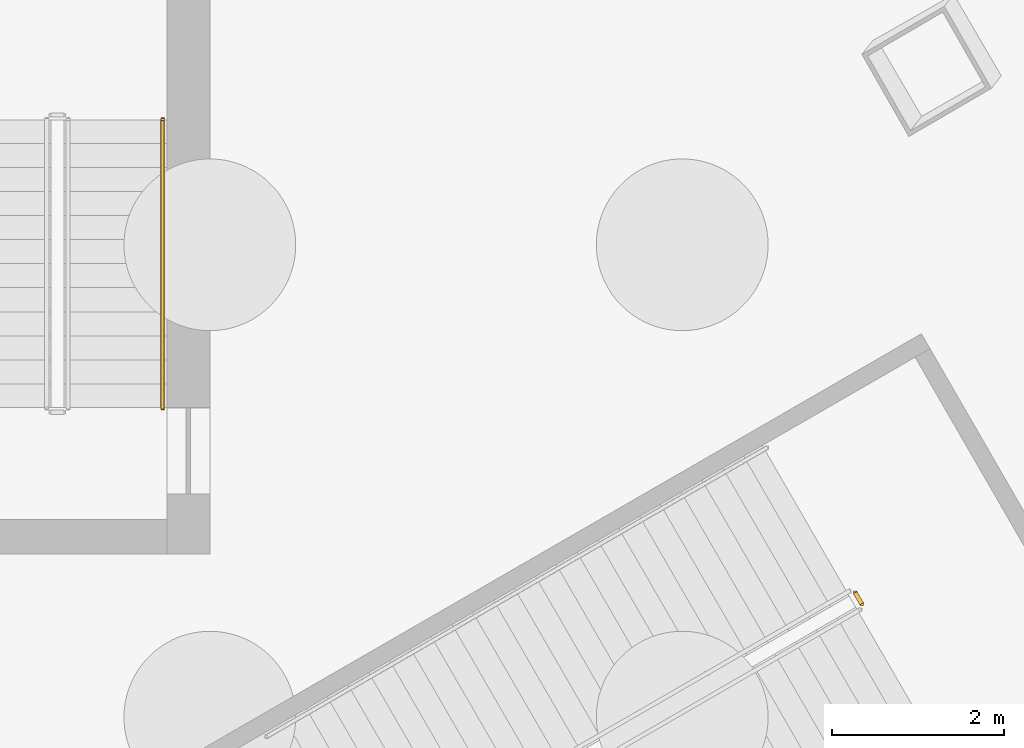
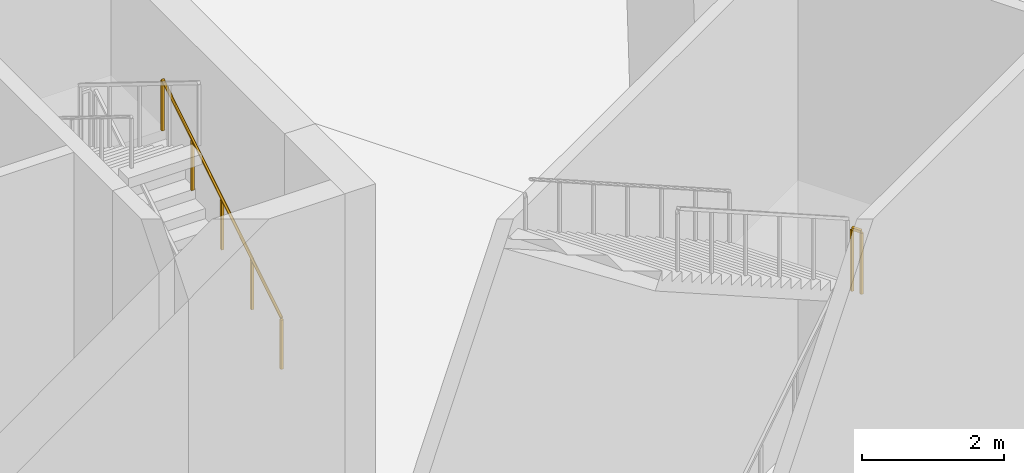
# One storey, part 9 of 10: 2 railings.
"""IFC4 building model written with IfcOpenShell, lengths in metres."""

from ifc_helpers import new_model, si_unit, direction, frame, origin, origin_2d, place, context, subcontext, project, spatial, rectangle, circle, extrude, material, type_object, element, save


model = new_model("IFC4")

# Units and contexts
model_context = context("Model", 3, precision=1e-05, world=origin(), true_north=direction((0.0, 1.0)))
body_context = subcontext(model_context, "Body", "Model", "MODEL_VIEW")
ifc_project = project(units=[si_unit("LENGTHUNIT", "METRE"), si_unit("AREAUNIT", "SQUARE_METRE"), si_unit("VOLUMEUNIT", "CUBIC_METRE"), si_unit("PLANEANGLEUNIT", "RADIAN"), si_unit("MASSUNIT", "GRAM", prefix="KILO")], contexts=[model_context])

# Site, building, storey
site_placement = place(None, origin())
site = spatial("IfcSite", under=ifc_project, at=site_placement, CompositionType="ELEMENT")
building_placement = place(site_placement, origin())
building = spatial("IfcBuilding", under=site, at=building_placement, Name="Apuvela Tower Hotel", CompositionType="ELEMENT")
storey_placement = place(building_placement, origin())
storey = spatial("IfcBuildingStorey", under=building, at=storey_placement, Name="L00", CompositionType="ELEMENT", Elevation=0.0)

# Railings
ifc_material_1 = material(Name="Stainless steel 316 handrail", Category="steel")
railing_type_1 = type_object("IfcRailingType", Name="COR-HANDRAIL-900", PredefinedType="HANDRAIL", material=ifc_material_1)
railing_1_placement = place(storey_placement, frame((4.949951171875, 14.60009765625, 4.673095703125)))
element("IfcRailing", 1, at=railing_1_placement, inside=storey, type_object=railing_type_1, Name="L00 ST1 stair handrail 3", PredefinedType="HANDRAIL", context=body_context, shape_type="SweptSolid", body=[
    extrude(circle(Radius=0.02392578125, at=origin_2d()), frame((0.0, 0.0, 0.8759765625), z_axis=(0.0, 0.850606129759, 0.525803396734), x_axis=(-1.0, 0.0, 0.0)), (0.0, 0.0, 1.0), 3.949951171875),
    extrude(rectangle(XDim=0.0419921875, YDim=0.0419921875, at=origin_2d()), origin(), (0.0, 0.0, 1.0), 0.851806640625),
    extrude(rectangle(XDim=0.0419921875, YDim=0.0419921875, at=origin_2d()), frame((0.0, 0.83984375, 0.519287109375)), (0.0, 0.0, 1.0), 0.851806640625),
    extrude(rectangle(XDim=0.0419921875, YDim=0.0419921875, at=origin_2d()), frame((0.0, 1.679931640625, 1.03857421875)), (0.0, 0.0, 1.0), 0.851806640625),
    extrude(rectangle(XDim=0.0419921875, YDim=0.0419921875, at=origin_2d()), frame((0.0, 2.52001953125, 1.5576171875)), (0.0, 0.0, 1.0), 0.851806640625),
    extrude(rectangle(XDim=0.0419921875, YDim=0.0419921875, at=origin_2d()), frame((0.0, 3.35986328125, 2.076904296875)), (0.0, 0.0, 1.0), 0.851806640625),
])
ifc_material_2 = material(Name="Steel S355 guard with laminated glass infill", Category="steel")
railing_type_2 = type_object("IfcRailingType", Name="SPC-GUARD-1100", PredefinedType="GUARDRAIL", material=ifc_material_2)
railing_2_placement = place(storey_placement, frame((13.088623046875, 12.31982421875, 4.5)))
element("IfcRailing", 2, at=railing_2_placement, inside=storey, type_object=railing_type_2, Name="L00 PS1 stair guard 2", PredefinedType="GUARDRAIL", context=body_context, shape_type="SweptSolid", body=[
    extrude(rectangle(XDim=0.048095703125, YDim=0.048095703125, at=origin_2d()), frame((0.0, 0.0, 1.076171875), z_axis=(-0.499816412211, 0.866131372301, 0.0), x_axis=(-0.866131372301, -0.499816412211, 0.0)), (0.0, 0.0, 1.0), 0.14990234375),
    extrude(rectangle(XDim=0.0419921875, YDim=0.0419921875, at=origin_2d()), origin(), (0.0, 0.0, 1.0), 1.052001953125),
    extrude(rectangle(XDim=0.0419921875, YDim=0.0419921875, at=origin_2d()), frame((-0.074951171875, 0.1298828125, 0.0)), (0.0, 0.0, 1.0), 1.052001953125),
])

save(model, "model.ifc")
